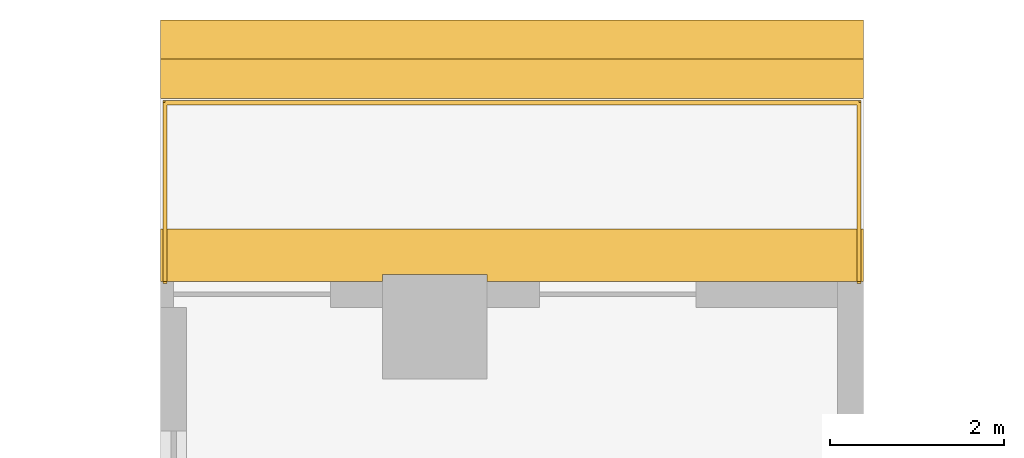
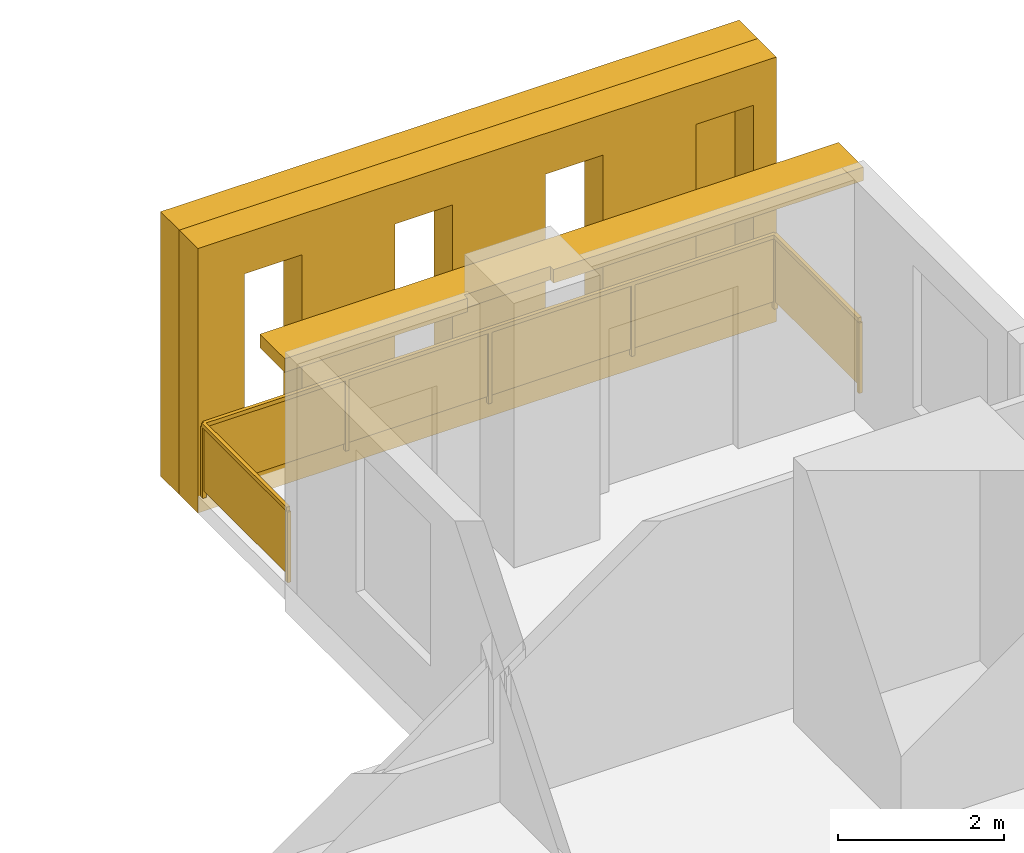
# One storey, part 16 of 16: 3 shading devices, 1 railing.
"""IFC4 building model written with IfcOpenShell, lengths in metres."""

from ifc_helpers import new_model, si_unit, direction, frame, origin, origin_2d, place, context, subcontext, project, spatial, polyline, rectangle, outline, extrude, material, layer, layer_set, type_object, element, save


model = new_model("IFC4")

# Units and contexts
model_context = context("Model", 3, precision=1e-05, world=origin(), true_north=direction((0.0, 1.0)))
body_context = subcontext(model_context, "Body", "Model", "MODEL_VIEW")
ifc_project = project(units=[si_unit("LENGTHUNIT", "METRE"), si_unit("AREAUNIT", "SQUARE_METRE"), si_unit("VOLUMEUNIT", "CUBIC_METRE"), si_unit("PLANEANGLEUNIT", "RADIAN"), si_unit("MASSUNIT", "GRAM", prefix="KILO")], contexts=[model_context])

# Site, building, storey
site_placement = place(None, origin())
site = spatial("IfcSite", under=ifc_project, at=site_placement, CompositionType="ELEMENT")
building_placement = place(site_placement, origin())
building = spatial("IfcBuilding", under=site, at=building_placement, Name="Khepri Terraces", CompositionType="ELEMENT")
storey_placement = place(building_placement, frame((0.0, 0.0, 176.699951171875)))
storey = spatial("IfcBuildingStorey", under=building, at=storey_placement, Name="L42", CompositionType="ELEMENT", Elevation=176.699951171875)

# Railing
ifc_material_1 = material(Name="Stainless steel grade 316", Category="steel")
railing_type = type_object("IfcRailingType", Name="GRD-BAL-1100", PredefinedType="GUARDRAIL", material=ifc_material_1)
railing_placement = place(storey_placement, frame((21.669921875, 25.719970703125, 0.0)))
element("IfcRailing", 1, at=railing_placement, inside=storey, type_object=railing_type, Name="Balcony guard L42 N", PredefinedType="GUARDRAIL", context=body_context, shape_type="SweptSolid", body=[
    extrude(rectangle(XDim=0.050048828125, YDim=0.06005859375, at=origin_2d()), frame((0.0, 0.0, 1.070068359375), z_axis=(0.0, 1.0, 0.0), x_axis=(-1.0, 0.0, 0.0)), (0.0, 0.0, 1.0), 2.050048828125),
    extrude(rectangle(XDim=2.0, YDim=0.011962890625, at=origin_2d()), frame((0.0, 1.02490234375, 0.10009765625), z_axis=(0.0, 0.0, 1.0), x_axis=(0.0, 1.0, 0.0)), (0.0, 0.0, 1.0), 0.93994140625),
    extrude(rectangle(XDim=0.050048828125, YDim=0.06005859375, at=origin_2d()), frame((0.0, 2.050048828125, 1.070068359375), z_axis=(-1.0, 0.0, 0.0), x_axis=(0.0, -1.0, 0.0)), (0.0, 0.0, 1.0), 7.969970703125),
    extrude(rectangle(XDim=1.9423828125, YDim=0.011962890625, at=origin_2d()), frame((-0.996337890625, 2.050048828125, 0.10009765625), z_axis=(0.0, 0.0, 1.0), x_axis=(-1.0, 0.0, 0.0)), (0.0, 0.0, 1.0), 0.93994140625),
    extrude(rectangle(XDim=1.9423828125, YDim=0.011962890625, at=origin_2d()), frame((-2.98876953125, 2.050048828125, 0.10009765625), z_axis=(0.0, 0.0, 1.0), x_axis=(-1.0, 0.0, 0.0)), (0.0, 0.0, 1.0), 0.93994140625),
    extrude(rectangle(XDim=1.9423828125, YDim=0.011962890625, at=origin_2d()), frame((-4.981201171875, 2.050048828125, 0.10009765625), z_axis=(0.0, 0.0, 1.0), x_axis=(-1.0, 0.0, 0.0)), (0.0, 0.0, 1.0), 0.93994140625),
    extrude(rectangle(XDim=1.9423828125, YDim=0.011962890625, at=origin_2d()), frame((-6.9736328125, 2.050048828125, 0.10009765625), z_axis=(0.0, 0.0, 1.0), x_axis=(-1.0, 0.0, 0.0)), (0.0, 0.0, 1.0), 0.93994140625),
    extrude(rectangle(XDim=0.050048828125, YDim=0.06005859375, at=origin_2d()), frame((-7.969970703125, 2.050048828125, 1.070068359375), z_axis=(0.0, -1.0, 0.0), x_axis=(1.0, 0.0, 0.0)), (0.0, 0.0, 1.0), 2.050048828125),
    extrude(rectangle(XDim=2.0, YDim=0.011962890625, at=origin_2d()), frame((-7.969970703125, 1.02490234375, 0.10009765625), z_axis=(0.0, 0.0, 1.0), x_axis=(0.0, -1.0, 0.0)), (0.0, 0.0, 1.0), 0.93994140625),
    extrude(rectangle(XDim=0.050048828125, YDim=0.050048828125, at=origin_2d()), origin(), (0.0, 0.0, 1.0), 1.0400390625),
    extrude(rectangle(XDim=0.050048828125, YDim=0.050048828125, at=origin_2d()), frame((0.0, 2.050048828125, 0.0)), (0.0, 0.0, 1.0), 1.0400390625),
    extrude(rectangle(XDim=0.050048828125, YDim=0.050048828125, at=origin_2d()), frame((-1.992431640625, 2.050048828125, 0.0)), (0.0, 0.0, 1.0), 1.0400390625),
    extrude(rectangle(XDim=0.050048828125, YDim=0.050048828125, at=origin_2d()), frame((-3.98486328125, 2.050048828125, 0.0)), (0.0, 0.0, 1.0), 1.0400390625),
    extrude(rectangle(XDim=0.050048828125, YDim=0.050048828125, at=origin_2d()), frame((-5.9775390625, 2.050048828125, 0.0)), (0.0, 0.0, 1.0), 1.0400390625),
    extrude(rectangle(XDim=0.050048828125, YDim=0.050048828125, at=origin_2d()), frame((-7.969970703125, 2.050048828125, 0.0)), (0.0, 0.0, 1.0), 1.0400390625),
    extrude(rectangle(XDim=0.050048828125, YDim=0.050048828125, at=origin_2d()), frame((-7.969970703125, 0.0, 0.0)), (0.0, 0.0, 1.0), 1.0400390625),
])

# Shading devices
ifc_material_2 = material(Name="Precast concrete C50/60 warm stone", Category="masonry")
shading_device_type_1 = type_object("IfcShadingDeviceType", Name="SCR-CELL-INNER-450", PredefinedType="USERDEFINED", material=ifc_material_2)
shading_device_1_placement = place(storey_placement, frame((21.719970703125, 27.820068359375, -0.25), z_axis=(0.0, 1.0, 0.0), x_axis=(-1.0, 0.0, 0.0)))
element("IfcShadingDevice", 2, at=shading_device_1_placement, inside=storey, type_object=shading_device_type_1, Name="Cell screen L42 N in", ObjectType="SCREEN", PredefinedType="USERDEFINED", context=body_context, shape_type="SweptSolid", body=[
    extrude(outline(polyline([(0.0, 0.0), (8.070068359375, 0.0), (8.070068359375, 3.89990234375), (0.0, 3.89990234375), (0.0, 0.0)]), holes=[polyline([(0.318359375, 0.699951171875), (1.12158203125, 0.699951171875), (1.12158203125, 3.300048828125), (0.318359375, 3.300048828125), (0.318359375, 0.699951171875)]), polyline([(2.41845703125, 0.699951171875), (3.2216796875, 0.699951171875), (3.2216796875, 3.300048828125), (2.41845703125, 3.300048828125), (2.41845703125, 0.699951171875)]), polyline([(4.518310546875, 0.699951171875), (5.321533203125, 0.699951171875), (5.321533203125, 3.300048828125), (4.518310546875, 3.300048828125), (4.518310546875, 0.699951171875)]), polyline([(6.618408203125, 0.699951171875), (7.421630859375, 0.699951171875), (7.421630859375, 3.300048828125), (6.618408203125, 3.300048828125), (6.618408203125, 0.699951171875)])]), origin(), (0.0, 0.0, 1.0), 0.449951171875),
])
shading_device_type_2 = type_object("IfcShadingDeviceType", Name="SCR-CELL-OUTER-450", PredefinedType="USERDEFINED", material=ifc_material_2)
shading_device_2_placement = place(storey_placement, frame((21.719970703125, 28.27001953125, -0.25), z_axis=(0.0, 1.0, 0.0), x_axis=(-1.0, 0.0, 0.0)))
element("IfcShadingDevice", 3, at=shading_device_2_placement, inside=storey, type_object=shading_device_type_2, Name="Cell screen L42 N out", ObjectType="SCREEN", PredefinedType="USERDEFINED", context=body_context, shape_type="SweptSolid", body=[
    extrude(outline(polyline([(0.0, 0.0), (8.070068359375, 0.0), (8.070068359375, 3.89990234375), (0.0, 3.89990234375), (0.0, 0.0)]), holes=[polyline([(2.068359375, 0.449951171875), (3.571533203125, 0.449951171875), (3.571533203125, 3.550048828125), (2.068359375, 3.550048828125), (2.068359375, 0.449951171875)]), polyline([(4.16845703125, 0.449951171875), (5.671630859375, 0.449951171875), (5.671630859375, 3.550048828125), (4.16845703125, 3.550048828125), (4.16845703125, 0.449951171875)]), polyline([(6.268310546875, 0.449951171875), (7.771484375, 0.449951171875), (7.771484375, 3.550048828125), (6.268310546875, 3.550048828125), (6.268310546875, 0.449951171875)])]), origin(), (0.0, 0.0, 1.0), 0.449951171875),
])
ifc_layer = layer(ifc_material_2, 0.199951171875, Name="Precast concrete C50/60 warm stone", Category="masonry")
ifc_layer_set = layer_set([ifc_layer], Name="Precast concrete C50/60 warm stone")
shading_device_type_3 = type_object("IfcShadingDeviceType", Name="SSH-BAND-STONE-200-N", PredefinedType="USERDEFINED", material=ifc_layer_set)
shading_device_3_placement = place(storey_placement, frame((0.0, 0.0, 3.10009765625)))
element("IfcShadingDevice", 4, at=shading_device_3_placement, inside=storey, type_object=shading_device_type_3, Name="Sunshade band L42 N", ObjectType="SUNSHADE", PredefinedType="USERDEFINED", context=body_context, shape_type="SweptSolid", body=[
    extrude(outline(polyline([(17.39990234375, 25.719970703125), (21.719970703125, 25.719970703125), (21.719970703125, 26.320068359375), (13.64990234375, 26.320068359375), (13.64990234375, 25.719970703125), (16.199951171875, 25.719970703125), (16.199951171875, 25.800048828125), (17.39990234375, 25.800048828125), (17.39990234375, 25.719970703125)])), origin(), (0.0, 0.0, 1.0), 0.199951171875),
])

save(model, "model.ifc")
